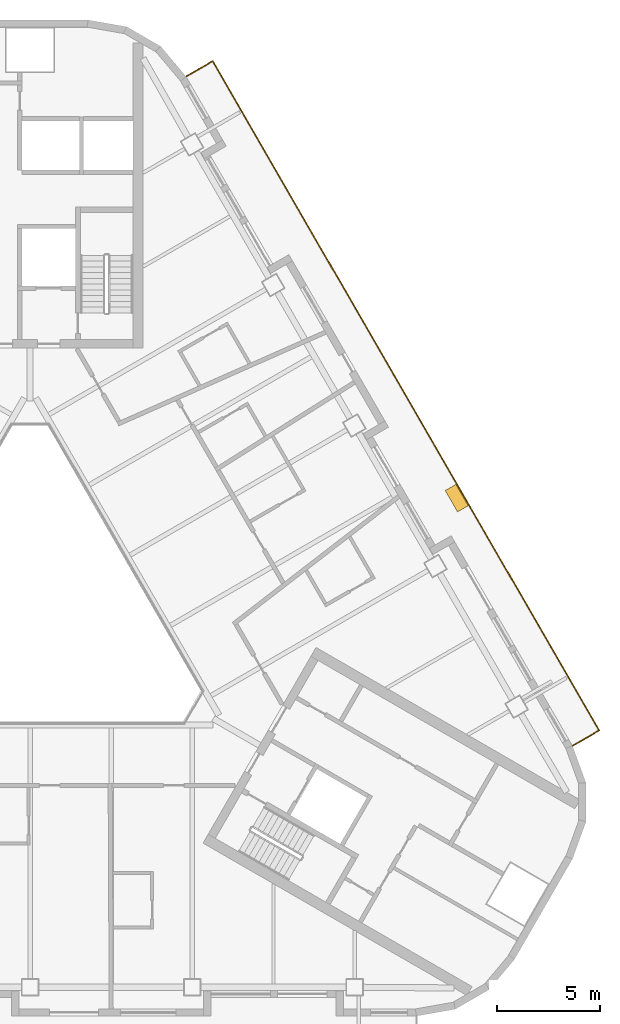
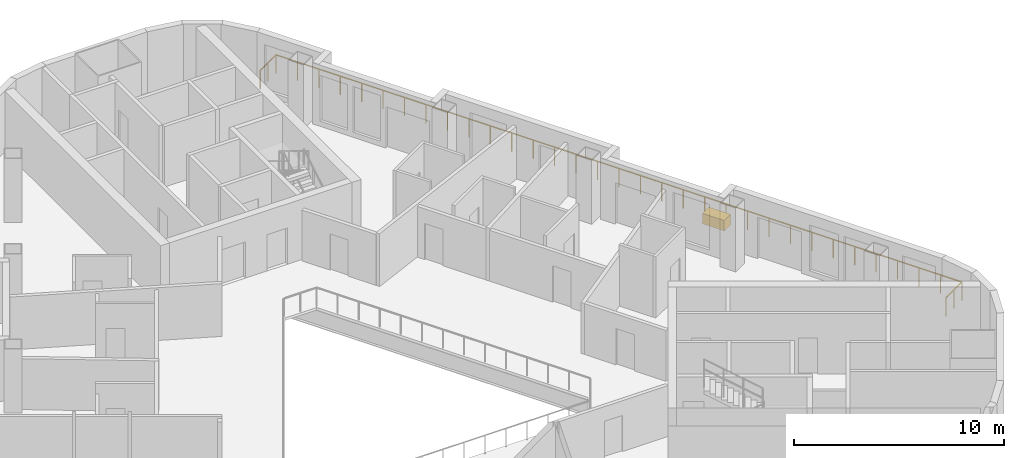
# One storey, part 13 of 14: 1 covering, 1 railing.
"""IFC4 building model written with IfcOpenShell, lengths in metres."""

from ifc_helpers import new_model, si_unit, direction, frame, origin, origin_2d, place, context, subcontext, project, spatial, rectangle, extrude, material, type_object, element, save


model = new_model("IFC4")

# Units and contexts
model_context = context("Model", 3, precision=1e-05, world=origin(), true_north=direction((0.0, 1.0)))
body_context = subcontext(model_context, "Body", "Model", "MODEL_VIEW")
ifc_project = project(units=[si_unit("LENGTHUNIT", "METRE"), si_unit("AREAUNIT", "SQUARE_METRE"), si_unit("VOLUMEUNIT", "CUBIC_METRE"), si_unit("PLANEANGLEUNIT", "RADIAN"), si_unit("MASSUNIT", "GRAM", prefix="KILO")], contexts=[model_context])

# Site, building, storey
site_placement = place(None, origin())
site = spatial("IfcSite", under=ifc_project, at=site_placement, CompositionType="ELEMENT")
building_placement = place(site_placement, origin())
building = spatial("IfcBuilding", under=site, at=building_placement, Name="Apuvela Tower Hotel", CompositionType="ELEMENT")
storey_placement = place(building_placement, frame((0.0, 0.0, 179.89990234375)))
storey = spatial("IfcBuildingStorey", under=building, at=storey_placement, Name="L43", CompositionType="ELEMENT", Elevation=179.89990234375)

# Railing
ifc_material_1 = material(Name="Stainless steel 316 rail with laminated glass infill", Category="steel")
railing_type = type_object("IfcRailingType", Name="ENV-GUARD-1100", PredefinedType="GUARDRAIL", material=ifc_material_1)
railing_placement = place(storey_placement, frame((26.407958984375, -6.47998046875, 0.0)))
element("IfcRailing", 1, at=railing_placement, inside=storey, type_object=railing_type, Name="Balcony guard NE L43", PredefinedType="GUARDRAIL", context=body_context, shape_type="SweptSolid", body=[
    extrude(rectangle(XDim=0.050048828125, YDim=0.050048828125, at=origin_2d()), frame((0.0, 0.0, 1.0751953125), z_axis=(0.866031096941, 0.499990139034, 0.0), x_axis=(-0.499990139034, 0.866031096941, 0.0)), (0.0, 0.0, 1.0), 1.5),
    extrude(rectangle(XDim=0.050048828125, YDim=0.050048828125, at=origin_2d()), frame((1.299072265625, 0.75, 1.0751953125), z_axis=(-0.500000437506, 0.86602515119, 0.0), x_axis=(-0.86602515119, -0.500000437506, 0.0)), (0.0, 0.0, 1.0), 37.6318359375),
    extrude(rectangle(XDim=0.050048828125, YDim=0.050048828125, at=origin_2d()), frame((-17.516845703125, 33.340087890625, 1.0751953125), z_axis=(-0.86599040064, -0.500060622324, 0.0), x_axis=(0.500060622324, -0.86599040064, 0.0)), (0.0, 0.0, 1.0), 1.499755859375),
    extrude(rectangle(XDim=0.0400390625, YDim=0.0400390625, at=origin_2d()), origin(), (0.0, 0.0, 1.0), 1.050048828125),
    extrude(rectangle(XDim=0.0400390625, YDim=0.0400390625, at=origin_2d()), frame((0.6494140625, 0.375, 0.0)), (0.0, 0.0, 1.0), 1.050048828125),
    extrude(rectangle(XDim=0.0400390625, YDim=0.0400390625, at=origin_2d()), frame((1.299072265625, 0.75, 0.0)), (0.0, 0.0, 1.0), 1.050048828125),
    extrude(rectangle(XDim=0.0400390625, YDim=0.0400390625, at=origin_2d()), frame((0.711181640625, 1.7685546875, 0.0)), (0.0, 0.0, 1.0), 1.050048828125),
    extrude(rectangle(XDim=0.0400390625, YDim=0.0400390625, at=origin_2d()), frame((0.123046875, 2.786865234375, 0.0)), (0.0, 0.0, 1.0), 1.050048828125),
    extrude(rectangle(XDim=0.0400390625, YDim=0.0400390625, at=origin_2d()), frame((-0.46484375, 3.805419921875, 0.0)), (0.0, 0.0, 1.0), 1.050048828125),
    extrude(rectangle(XDim=0.0400390625, YDim=0.0400390625, at=origin_2d()), frame((-1.052978515625, 4.82373046875, 0.0)), (0.0, 0.0, 1.0), 1.050048828125),
    extrude(rectangle(XDim=0.0400390625, YDim=0.0400390625, at=origin_2d()), frame((-1.640869140625, 5.84228515625, 0.0)), (0.0, 0.0, 1.0), 1.050048828125),
    extrude(rectangle(XDim=0.0400390625, YDim=0.0400390625, at=origin_2d()), frame((-2.22900390625, 6.860595703125, 0.0)), (0.0, 0.0, 1.0), 1.050048828125),
    extrude(rectangle(XDim=0.0400390625, YDim=0.0400390625, at=origin_2d()), frame((-2.81689453125, 7.879150390625, 0.0)), (0.0, 0.0, 1.0), 1.050048828125),
    extrude(rectangle(XDim=0.0400390625, YDim=0.0400390625, at=origin_2d()), frame((-3.40478515625, 8.8974609375, 0.0)), (0.0, 0.0, 1.0), 1.050048828125),
    extrude(rectangle(XDim=0.0400390625, YDim=0.0400390625, at=origin_2d()), frame((-3.992919921875, 9.916015625, 0.0)), (0.0, 0.0, 1.0), 1.050048828125),
    extrude(rectangle(XDim=0.0400390625, YDim=0.0400390625, at=origin_2d()), frame((-4.580810546875, 10.934326171875, 0.0)), (0.0, 0.0, 1.0), 1.050048828125),
    extrude(rectangle(XDim=0.0400390625, YDim=0.0400390625, at=origin_2d()), frame((-5.1689453125, 11.952880859375, 0.0)), (0.0, 0.0, 1.0), 1.050048828125),
    extrude(rectangle(XDim=0.0400390625, YDim=0.0400390625, at=origin_2d()), frame((-5.7568359375, 12.97119140625, 0.0)), (0.0, 0.0, 1.0), 1.050048828125),
    extrude(rectangle(XDim=0.0400390625, YDim=0.0400390625, at=origin_2d()), frame((-6.344970703125, 13.98974609375, 0.0)), (0.0, 0.0, 1.0), 1.050048828125),
    extrude(rectangle(XDim=0.0400390625, YDim=0.0400390625, at=origin_2d()), frame((-6.932861328125, 15.008056640625, 0.0)), (0.0, 0.0, 1.0), 1.050048828125),
    extrude(rectangle(XDim=0.0400390625, YDim=0.0400390625, at=origin_2d()), frame((-7.52099609375, 16.026611328125, 0.0)), (0.0, 0.0, 1.0), 1.050048828125),
    extrude(rectangle(XDim=0.0400390625, YDim=0.0400390625, at=origin_2d()), frame((-8.10888671875, 17.044921875, 0.0)), (0.0, 0.0, 1.0), 1.050048828125),
    extrude(rectangle(XDim=0.0400390625, YDim=0.0400390625, at=origin_2d()), frame((-8.69677734375, 18.0634765625, 0.0)), (0.0, 0.0, 1.0), 1.050048828125),
    extrude(rectangle(XDim=0.0400390625, YDim=0.0400390625, at=origin_2d()), frame((-9.284912109375, 19.08203125, 0.0)), (0.0, 0.0, 1.0), 1.050048828125),
    extrude(rectangle(XDim=0.0400390625, YDim=0.0400390625, at=origin_2d()), frame((-9.872802734375, 20.100341796875, 0.0)), (0.0, 0.0, 1.0), 1.050048828125),
    extrude(rectangle(XDim=0.0400390625, YDim=0.0400390625, at=origin_2d()), frame((-10.4609375, 21.118896484375, 0.0)), (0.0, 0.0, 1.0), 1.050048828125),
    extrude(rectangle(XDim=0.0400390625, YDim=0.0400390625, at=origin_2d()), frame((-11.048828125, 22.13720703125, 0.0)), (0.0, 0.0, 1.0), 1.050048828125),
    extrude(rectangle(XDim=0.0400390625, YDim=0.0400390625, at=origin_2d()), frame((-11.636962890625, 23.15576171875, 0.0)), (0.0, 0.0, 1.0), 1.050048828125),
    extrude(rectangle(XDim=0.0400390625, YDim=0.0400390625, at=origin_2d()), frame((-12.224853515625, 24.174072265625, 0.0)), (0.0, 0.0, 1.0), 1.050048828125),
    extrude(rectangle(XDim=0.0400390625, YDim=0.0400390625, at=origin_2d()), frame((-12.81298828125, 25.192626953125, 0.0)), (0.0, 0.0, 1.0), 1.050048828125),
    extrude(rectangle(XDim=0.0400390625, YDim=0.0400390625, at=origin_2d()), frame((-13.40087890625, 26.2109375, 0.0)), (0.0, 0.0, 1.0), 1.050048828125),
    extrude(rectangle(XDim=0.0400390625, YDim=0.0400390625, at=origin_2d()), frame((-13.98876953125, 27.2294921875, 0.0)), (0.0, 0.0, 1.0), 1.050048828125),
    extrude(rectangle(XDim=0.0400390625, YDim=0.0400390625, at=origin_2d()), frame((-14.576904296875, 28.247802734375, 0.0)), (0.0, 0.0, 1.0), 1.050048828125),
    extrude(rectangle(XDim=0.0400390625, YDim=0.0400390625, at=origin_2d()), frame((-15.164794921875, 29.266357421875, 0.0)), (0.0, 0.0, 1.0), 1.050048828125),
    extrude(rectangle(XDim=0.0400390625, YDim=0.0400390625, at=origin_2d()), frame((-15.7529296875, 30.28466796875, 0.0)), (0.0, 0.0, 1.0), 1.050048828125),
    extrude(rectangle(XDim=0.0400390625, YDim=0.0400390625, at=origin_2d()), frame((-16.3408203125, 31.30322265625, 0.0)), (0.0, 0.0, 1.0), 1.050048828125),
    extrude(rectangle(XDim=0.0400390625, YDim=0.0400390625, at=origin_2d()), frame((-16.928955078125, 32.321533203125, 0.0)), (0.0, 0.0, 1.0), 1.050048828125),
    extrude(rectangle(XDim=0.0400390625, YDim=0.0400390625, at=origin_2d()), frame((-17.516845703125, 33.340087890625, 0.0)), (0.0, 0.0, 1.0), 1.050048828125),
    extrude(rectangle(XDim=0.0400390625, YDim=0.0400390625, at=origin_2d()), frame((-18.166259765625, 32.965087890625, 0.0)), (0.0, 0.0, 1.0), 1.050048828125),
    extrude(rectangle(XDim=0.0400390625, YDim=0.0400390625, at=origin_2d()), frame((-18.815673828125, 32.590087890625, 0.0)), (0.0, 0.0, 1.0), 1.050048828125),
])

# Covering
ifc_material_2 = material(Name="Planting substrate and soil, planted")
covering_type = type_object("IfcCoveringType", Name="ENV-PLANTER-1200x600", PredefinedType="USERDEFINED", material=ifc_material_2)
covering_placement = place(storey_placement, frame((20.77099609375, 5.58349609375, 0.0), z_axis=(0.0, 0.0, 1.0), x_axis=(-0.5, 0.866025403784, 0.0)))
element("IfcCovering", 2, at=covering_placement, inside=storey, type_object=covering_type, Name="Planter NE3", ObjectType="PLANTER", PredefinedType="USERDEFINED", context=body_context, shape_type="SweptSolid", body=[
    extrude(rectangle(XDim=1.199951171875, YDim=0.60009765625, at=origin_2d()), origin(), (0.0, 0.0, 1.0), 0.60009765625),
])

save(model, "model.ifc")
